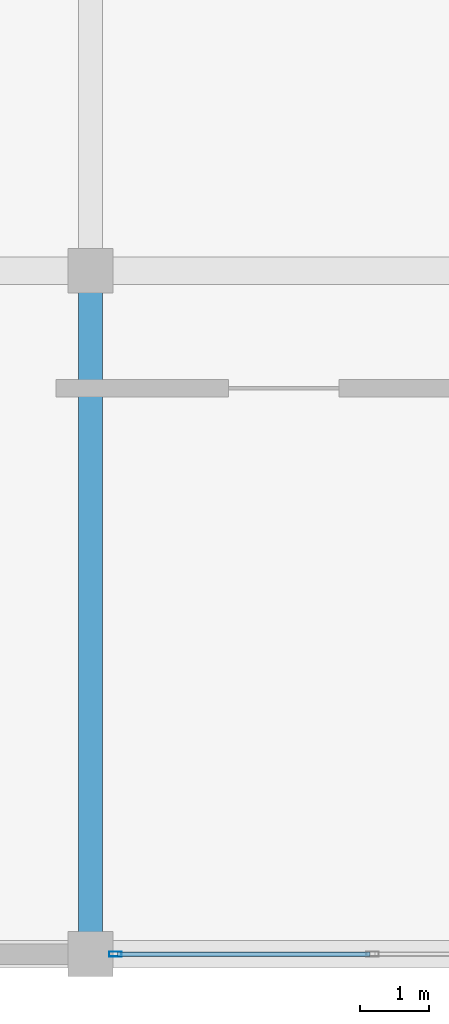
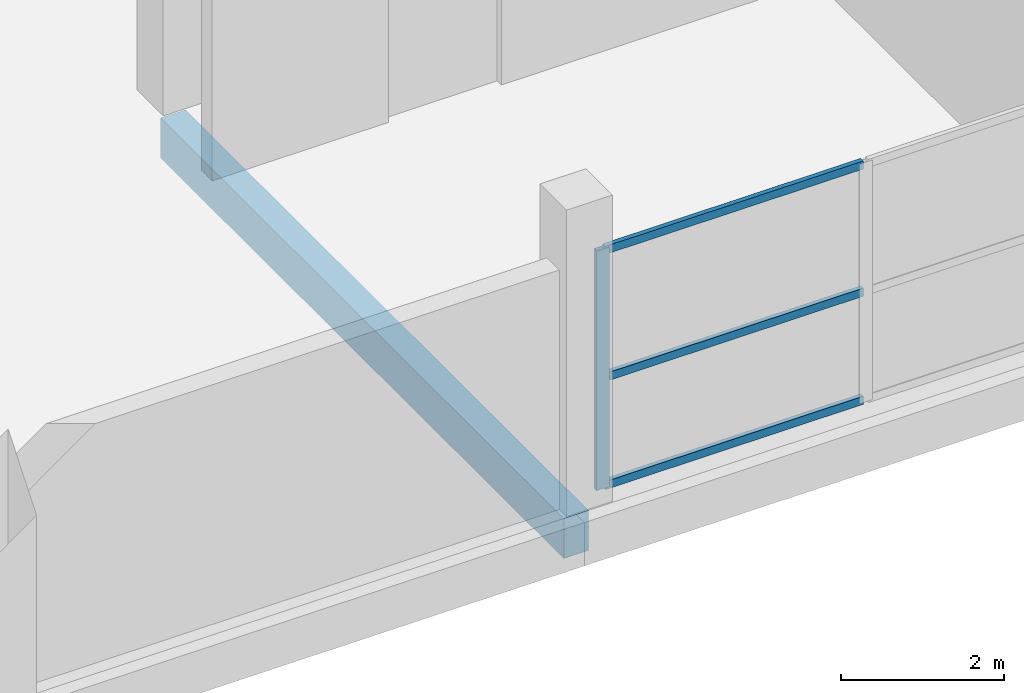
# One storey, part 12 of 69: 4 members, 1 beam, 1 element without a shape of its own.
"""IFC4 building model written with IfcOpenShell, lengths in metres."""

from ifc_helpers import new_model, si_unit, direction, frame, origin, origin_2d, place, context, subcontext, project, spatial, rectangle, hollow_rectangle, extrude, material, layer, layer_set, material_profile, profile_set, type_object, element, aggregate, save


model = new_model("IFC4")

# Units and contexts
model_context = context("Model", 3, precision=1e-05, world=origin(), true_north=direction((0.0, 1.0)))
body_context = subcontext(model_context, "Body", "Model", "MODEL_VIEW")
ifc_project = project(units=[si_unit("LENGTHUNIT", "METRE"), si_unit("AREAUNIT", "SQUARE_METRE"), si_unit("VOLUMEUNIT", "CUBIC_METRE"), si_unit("PLANEANGLEUNIT", "RADIAN"), si_unit("MASSUNIT", "GRAM", prefix="KILO")], contexts=[model_context])

# Site, building, storey
site_placement = place(None, origin())
site = spatial("IfcSite", under=ifc_project, at=site_placement, CompositionType="ELEMENT")
building_placement = place(site_placement, origin())
building = spatial("IfcBuilding", under=site, at=building_placement, Name="Sillaruma Civic Art Gallery", CompositionType="ELEMENT")
storey_placement = place(building_placement, frame((0.0, 0.0, 42.330078125)))
storey = spatial("IfcBuildingStorey", under=building, at=storey_placement, Name="L08", CompositionType="ELEMENT", Elevation=42.330078125)

# Beam
ifc_material_1 = material(Name="Concrete H35 (35 MPa)", Category="concrete")
ifc_material_profile_1 = material_profile(ifc_material_1, rectangle(XDim=0.35009765625, YDim=0.60009765625, at=origin_2d()), Name="RCB350x600")
ifc_profile_set_1 = profile_set([ifc_material_profile_1], Name="Concrete H35 (35 MPa)")
beam_type = type_object("IfcBeamType", Name="BM-BEAM-RCB350x600", PredefinedType="BEAM", material=ifc_profile_set_1)
beam_placement = place(storey_placement, frame((106.199951171875, 19.800048828125, -0.580078125), z_axis=(0.0, 1.0, 0.0), x_axis=(-1.0, 0.0, 0.0)))
element("IfcBeam", 1, at=beam_placement, inside=storey, type_object=beam_type, Name="Beam BM-06 (L07:M:3-4)", PredefinedType="BEAM", context=body_context, shape_type="SweptSolid", body=[
    extrude(rectangle(XDim=0.35009765625, YDim=0.60009765625, at=origin_2d()), origin(), (0.0, 0.0, 1.0), 9.89990234375),
])

# Curtain wall, members
ifc_material_2 = material(Name="Thermally Broken Extruded Aluminium 6063-T6", Category="aluminium")
ifc_layer = layer(ifc_material_2, 0.179931640625, Name="Thermally Broken Extruded Aluminium 6063-T6")
ifc_layer_set = layer_set([ifc_layer], Name="Thermally Broken Extruded Aluminium 6063-T6")
curtain_wall_type = type_object("IfcCurtainWallType", Name="CW-UNI-59", PredefinedType="NOTDEFINED", material=ifc_layer_set)
curtain_wall_placement = place(storey_placement, origin())
curtain_wall = element("IfcCurtainWall", 2, at=curtain_wall_placement, inside=storey, type_object=curtain_wall_type, Name="Unitised Curtain Wall CW-59 (CW-L08-EBS-2)", PredefinedType="NOTDEFINED")
ifc_material_profile_2 = material_profile(ifc_material_2, hollow_rectangle(XDim=0.070068359375, YDim=0.179931640625, WallThickness=0.00390625, at=origin_2d()), Name="CWM70x180")
ifc_profile_set_2 = profile_set([ifc_material_profile_2], Name="Thermally Broken Extruded Aluminium 6063-T6")
member_type_1 = type_object("IfcMemberType", Name="MEM-MUL-CWM70x180", PredefinedType="MULLION", material=ifc_profile_set_2)
member_1_placement = place(storey_placement, frame((106.56005859375, 19.800048828125, 0.0), z_axis=(0.0, 0.0, 1.0), x_axis=(0.0, 1.0, 0.0)))
member_1 = element("IfcMember", 3, at=member_1_placement, type_object=member_type_1, Name="CW-59 mullion 1", PredefinedType="MULLION", context=body_context, shape_type="SweptSolid", body=[
    extrude(hollow_rectangle(XDim=0.070068359375, YDim=0.179931640625, WallThickness=0.00390625, at=origin_2d()), origin(), (0.0, 0.0, 1.0), 3.58984375),
])
ifc_material_profile_3 = material_profile(ifc_material_2, hollow_rectangle(XDim=0.06494140625, YDim=0.1201171875, WallThickness=0.00341796875, at=origin_2d()), Name="CWT65x120")
ifc_profile_set_3 = profile_set([ifc_material_profile_3], Name="Thermally Broken Extruded Aluminium 6063-T6")
member_type_2 = type_object("IfcMemberType", Name="MEM-TRN-CWT65x120", PredefinedType="USERDEFINED", material=ifc_profile_set_3)
member_2_placement = place(storey_placement, frame((106.594970703125, 19.800048828125, 0.032470703125), z_axis=(1.0, 0.0, 0.0), x_axis=(0.0, 1.0, 0.0)))
member_2 = element("IfcMember", 4, at=member_2_placement, type_object=member_type_2, Name="CW-59 transom 1.1", ObjectType="TRANSOM", PredefinedType="USERDEFINED", context=body_context, shape_type="SweptSolid", body=[
    extrude(hollow_rectangle(XDim=0.06494140625, YDim=0.1201171875, WallThickness=0.00341796875, at=origin_2d()), origin(), (0.0, 0.0, 1.0), 3.657470703125),
])
member_3_placement = place(storey_placement, frame((106.594970703125, 19.800048828125, 1.6513671875), z_axis=(1.0, 0.0, 0.0), x_axis=(0.0, 1.0, 0.0)))
member_3 = element("IfcMember", 5, at=member_3_placement, type_object=member_type_2, Name="CW-59 transom 1.2", ObjectType="TRANSOM", PredefinedType="USERDEFINED", context=body_context, shape_type="SweptSolid", body=[
    extrude(hollow_rectangle(XDim=0.06494140625, YDim=0.1201171875, WallThickness=0.00341796875, at=origin_2d()), origin(), (0.0, 0.0, 1.0), 3.657470703125),
])
member_4_placement = place(storey_placement, frame((106.594970703125, 19.800048828125, 3.557373046875), z_axis=(1.0, 0.0, 0.0), x_axis=(0.0, 1.0, 0.0)))
member_4 = element("IfcMember", 6, at=member_4_placement, type_object=member_type_2, Name="CW-59 transom 1.3", ObjectType="TRANSOM", PredefinedType="USERDEFINED", context=body_context, shape_type="SweptSolid", body=[
    extrude(hollow_rectangle(XDim=0.06494140625, YDim=0.1201171875, WallThickness=0.00341796875, at=origin_2d()), origin(), (0.0, 0.0, 1.0), 3.657470703125),
])
aggregate(curtain_wall, [member_1, member_2, member_3, member_4])

save(model, "model.ifc")
